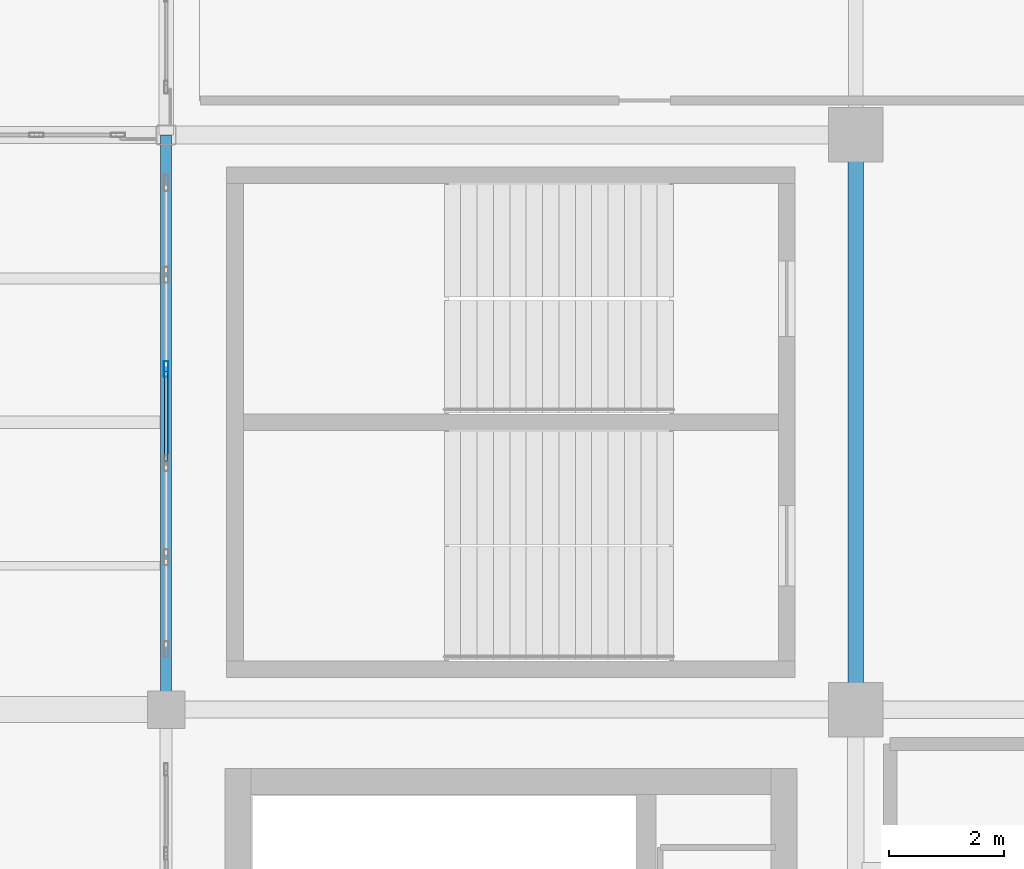
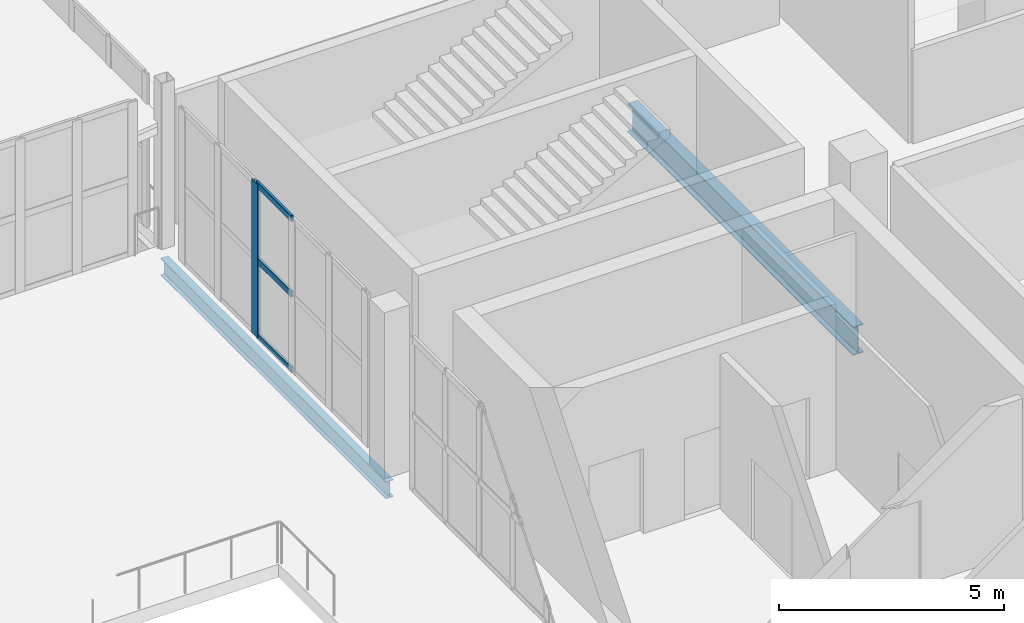
# One storey, part 14 of 90: 4 members, 2 beams, 1 element without a shape of its own.
"""IFC4 building model written with IfcOpenShell, lengths in metres."""

from ifc_helpers import new_model, si_unit, direction, frame, origin, origin_2d, place, context, subcontext, project, spatial, hollow_rectangle, i_section, extrude, material, layer, layer_set, material_profile, profile_set, type_object, element, aggregate, save


model = new_model("IFC4")

# Units and contexts
model_context = context("Model", 3, precision=1e-05, world=origin(), true_north=direction((0.0, 1.0)))
body_context = subcontext(model_context, "Body", "Model", "MODEL_VIEW")
ifc_project = project(units=[si_unit("LENGTHUNIT", "METRE"), si_unit("AREAUNIT", "SQUARE_METRE"), si_unit("VOLUMEUNIT", "CUBIC_METRE"), si_unit("PLANEANGLEUNIT", "RADIAN"), si_unit("MASSUNIT", "GRAM", prefix="KILO")], contexts=[model_context])

# Site, building, storey
site_placement = place(None, origin())
site = spatial("IfcSite", under=ifc_project, at=site_placement, CompositionType="ELEMENT")
building_placement = place(site_placement, origin())
building = spatial("IfcBuilding", under=site, at=building_placement, Name="Brinegate Civic Arena", CompositionType="ELEMENT")
storey_placement = place(building_placement, frame((0.0, 0.0, 14.699951171875)))
storey = spatial("IfcBuildingStorey", under=building, at=storey_placement, Name="L03", CompositionType="ELEMENT", Elevation=14.699951171875)

# Curtain wall, members
ifc_material_1 = material(Name="Marine grade aluminium", Category="aluminium")
ifc_layer = layer(ifc_material_1, 0.199951171875, Name="Marine grade aluminium")
ifc_layer_set = layer_set([ifc_layer], Name="Marine grade aluminium")
curtain_wall_type = type_object("IfcCurtainWallType", Name="CW-BOWL-GLAZED-01", PredefinedType="USERDEFINED", material=ifc_layer_set)
curtain_wall_placement = place(storey_placement, origin())
curtain_wall = element("IfcCurtainWall", 1, at=curtain_wall_placement, inside=storey, type_object=curtain_wall_type, Name="Curtain Wall CWA-111", ObjectType="GLAZED CURTAIN WALL", PredefinedType="USERDEFINED")
ifc_material_profile_1 = material_profile(ifc_material_1, hollow_rectangle(XDim=0.080078125, YDim=0.280029296875, WallThickness=0.007080078125, InnerFilletRadius=0.0048828125, OuterFilletRadius=0.010009765625, at=origin_2d()), Name="MUL80X280")
ifc_profile_set_1 = profile_set([ifc_material_profile_1], Name="Marine grade aluminium")
member_type_1 = type_object("IfcMemberType", Name="CW-MULLION-80X280", PredefinedType="MULLION", material=ifc_profile_set_1)
member_1_placement = place(storey_placement, frame((48.0, 47.92578125, 0.0), z_axis=(0.0, 0.0, 1.0), x_axis=(-1.0, 0.0, 0.0)))
member_1 = element("IfcMember", 2, at=member_1_placement, type_object=member_type_1, Name="CWA-111 mullion 4", PredefinedType="MULLION", context=body_context, shape_type="SweptSolid", body=[
    extrude(hollow_rectangle(XDim=0.080078125, YDim=0.280029296875, WallThickness=0.007080078125, InnerFilletRadius=0.0048828125, OuterFilletRadius=0.010009765625, at=origin_2d()), origin(), (0.0, 0.0, 1.0), 4.16015625),
])
ifc_material_profile_2 = material_profile(ifc_material_1, hollow_rectangle(XDim=0.06494140625, YDim=0.1650390625, WallThickness=0.0048828125, InnerFilletRadius=0.00390625, OuterFilletRadius=0.008056640625, at=origin_2d()), Name="TRN65X165")
ifc_profile_set_2 = profile_set([ifc_material_profile_2], Name="Marine grade aluminium")
member_type_2 = type_object("IfcMemberType", Name="CW-TRANSOM-65X165", PredefinedType="USERDEFINED", material=ifc_profile_set_2)
member_2_placement = place(storey_placement, frame((48.0, 46.3271484375, 0.032470703125), z_axis=(0.0, 1.0, 0.0), x_axis=(-1.0, 0.0, 0.0)))
member_2 = element("IfcMember", 3, at=member_2_placement, type_object=member_type_2, Name="CWA-111 transom 3.1", ObjectType="TRANSOM", PredefinedType="USERDEFINED", context=body_context, shape_type="SweptSolid", body=[
    extrude(hollow_rectangle(XDim=0.06494140625, YDim=0.1650390625, WallThickness=0.0048828125, InnerFilletRadius=0.00390625, OuterFilletRadius=0.008056640625, at=origin_2d()), origin(), (0.0, 0.0, 1.0), 1.55859375),
])
member_3_placement = place(storey_placement, frame((48.0, 46.3271484375, 2.080078125), z_axis=(0.0, 1.0, 0.0), x_axis=(-1.0, 0.0, 0.0)))
member_3 = element("IfcMember", 4, at=member_3_placement, type_object=member_type_2, Name="CWA-111 transom 3.2", ObjectType="TRANSOM", PredefinedType="USERDEFINED", context=body_context, shape_type="SweptSolid", body=[
    extrude(hollow_rectangle(XDim=0.06494140625, YDim=0.1650390625, WallThickness=0.0048828125, InnerFilletRadius=0.00390625, OuterFilletRadius=0.008056640625, at=origin_2d()), origin(), (0.0, 0.0, 1.0), 1.55859375),
])
member_4_placement = place(storey_placement, frame((48.0, 46.3271484375, 4.12744140625), z_axis=(0.0, 1.0, 0.0), x_axis=(-1.0, 0.0, 0.0)))
member_4 = element("IfcMember", 5, at=member_4_placement, type_object=member_type_2, Name="CWA-111 transom 3.3", ObjectType="TRANSOM", PredefinedType="USERDEFINED", context=body_context, shape_type="SweptSolid", body=[
    extrude(hollow_rectangle(XDim=0.06494140625, YDim=0.1650390625, WallThickness=0.0048828125, InnerFilletRadius=0.00390625, OuterFilletRadius=0.008056640625, at=origin_2d()), origin(), (0.0, 0.0, 1.0), 1.55859375),
])
aggregate(curtain_wall, [member_1, member_2, member_3, member_4])

# Beams
ifc_material_2 = material(Name="Steel S355", Category="steel")
ifc_material_profile_3 = material_profile(ifc_material_2, i_section(OverallWidth=0.26806640625, OverallDepth=0.77001953125, WebThickness=0.01611328125, FlangeThickness=0.02490234375, FilletRadius=0.02001953125, at=origin_2d()), Name="W760X196")
ifc_profile_set_3 = profile_set([ifc_material_profile_3], Name="Steel S355")
beam_type_1 = type_object("IfcBeamType", Name="GIRDER-W760X196", PredefinedType="BEAM", material=ifc_profile_set_3)
beam_1_placement = place(storey_placement, frame((60.0, 42.0, -0.73486328125), z_axis=(0.0, 1.0, 0.0), x_axis=(-1.0, 0.0, 0.0)))
element("IfcBeam", 6, at=beam_1_placement, inside=storey, type_object=beam_type_1, Name="Floor Girder BM-L03-GY-05-04", PredefinedType="BEAM", context=body_context, shape_type="SweptSolid", body=[
    extrude(i_section(OverallWidth=0.26806640625, OverallDepth=0.77001953125, WebThickness=0.01611328125, FlangeThickness=0.02490234375, FilletRadius=0.02001953125, at=origin_2d()), origin(), (0.0, 0.0, 1.0), 10.0),
])
ifc_material_profile_4 = material_profile(ifc_material_2, i_section(OverallWidth=0.193115234375, OverallDepth=0.466064453125, WebThickness=0.010986328125, FlangeThickness=0.01904296875, FilletRadius=0.014892578125, at=origin_2d()), Name="W460X97")
ifc_profile_set_4 = profile_set([ifc_material_profile_4], Name="Steel S355")
beam_type_2 = type_object("IfcBeamType", Name="SPANDREL-W460X97", PredefinedType="SPANDREL", material=ifc_profile_set_4)
beam_2_placement = place(storey_placement, frame((48.0, 42.0, -0.5830078125), z_axis=(0.0, 1.0, 0.0), x_axis=(-1.0, 0.0, 0.0)))
element("IfcBeam", 7, at=beam_2_placement, inside=storey, type_object=beam_type_2, Name="Floor Girder BM-L03-GY-04-04", PredefinedType="SPANDREL", context=body_context, shape_type="SweptSolid", body=[
    extrude(i_section(OverallWidth=0.193115234375, OverallDepth=0.466064453125, WebThickness=0.010986328125, FlangeThickness=0.01904296875, FilletRadius=0.014892578125, at=origin_2d()), origin(), (0.0, 0.0, 1.0), 10.0),
])

save(model, "model.ifc")
